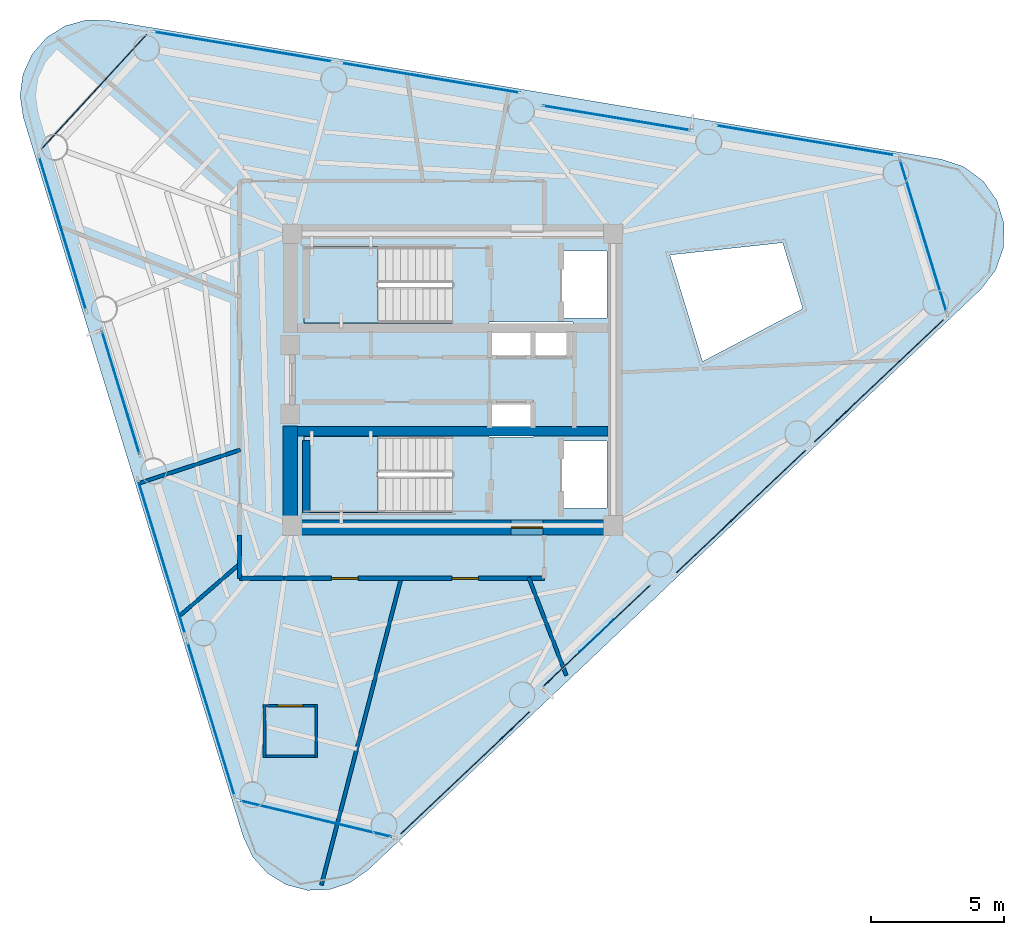
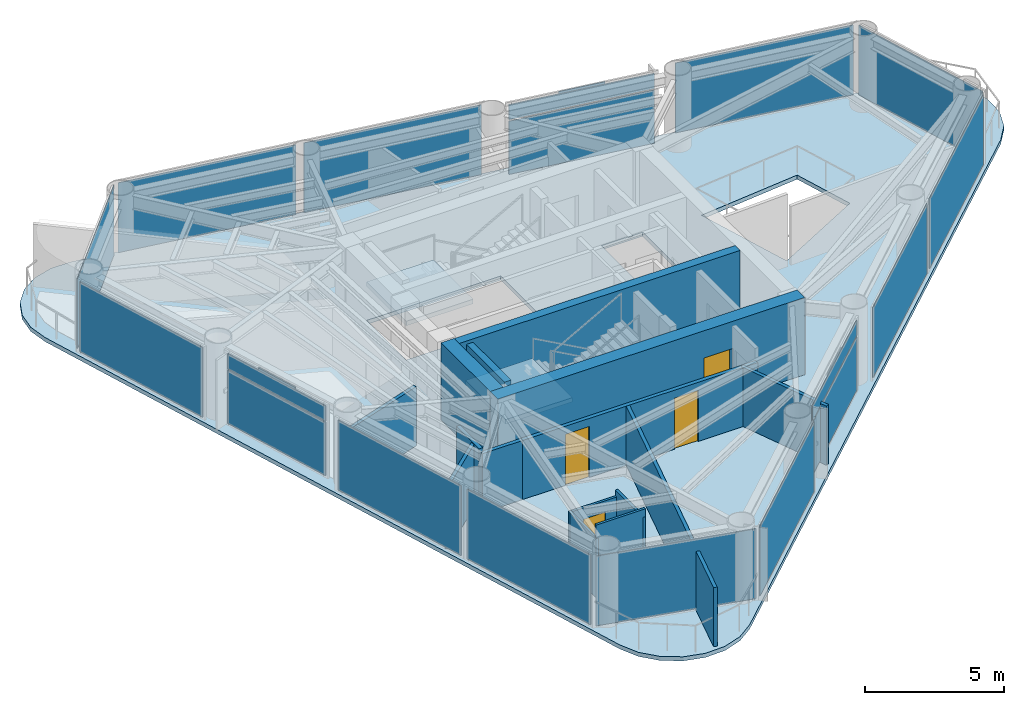
# One storey, part 4 of 8: 21 plates, 15 walls, 4 doors, 3 slabs, 4 openings, 17 elements without a shape of their own.
"""IFC4 building model written with IfcOpenShell, lengths in metres."""

from ifc_helpers import new_model, si_unit, direction, frame, frame_2d, origin, origin_2d, place, context, subcontext, project, spatial, polyline, rectangle, outline, extrude, source, transform, mapped, material, layer, layer_set, type_object, element, fill, aggregate, save


model = new_model("IFC4")

# Units and contexts
model_context = context("Model", 3, precision=1e-05, world=origin(), true_north=direction((0.0, 1.0)))
body_context = subcontext(model_context, "Body", "Model", "MODEL_VIEW")
ifc_project = project(units=[si_unit("LENGTHUNIT", "METRE"), si_unit("AREAUNIT", "SQUARE_METRE"), si_unit("VOLUMEUNIT", "CUBIC_METRE"), si_unit("PLANEANGLEUNIT", "RADIAN"), si_unit("MASSUNIT", "GRAM", prefix="KILO")], contexts=[model_context])

# Site, building, storey
site_placement = place(None, origin())
site = spatial("IfcSite", under=ifc_project, at=site_placement, CompositionType="ELEMENT")
building_placement = place(site_placement, origin())
building = spatial("IfcBuilding", under=site, at=building_placement, Name="Yunling Apex Tower", CompositionType="ELEMENT")
storey_placement = place(building_placement, frame((0.0, 0.0, 238.85009765625)))
storey = spatial("IfcBuildingStorey", under=building, at=storey_placement, Name="L58", CompositionType="ELEMENT", Elevation=238.85009765625)

# Slab
ifc_material_1 = material(Name="Concrete C40", Category="concrete")
ifc_layer_1 = layer(ifc_material_1, 0.155029296875)
ifc_layer_set_1 = layer_set([ifc_layer_1], Name="Concrete C40")
slab_type_1 = type_object("IfcSlabType", Name="SL-FLR-3", PredefinedType="FLOOR", material=ifc_layer_set_1)
slab_1_placement = place(storey_placement, frame((0.0, 0.0, -0.18017578125)))
element("IfcSlab", 1, at=slab_1_placement, inside=storey, type_object=slab_type_1, Name="L58 Composite Tower Floor Slab", PredefinedType="FLOOR", context=body_context, shape_type="SweptSolid", body=[
    extrude(outline(polyline([(-7.894287109375, -17.243408203125), (-7.54052734375, -17.991455078125), (-6.9873046875, -18.60693359375), (-6.281005859375, -19.0380859375), (-5.480712890625, -19.249267578125), (-4.65380859375, -19.22216796875), (-3.868896484375, -18.959716796875), (-3.192138671875, -18.483154296875), (19.91064453125, 3.409912109375), (20.459716796875, 4.126220703125), (20.7578125, 4.977783203125), (20.776123046875, 5.880126953125), (20.51220703125, 6.7431640625), (19.99267578125, 7.48095703125), (19.26904296875, 8.02001953125), (18.41357421875, 8.306884765625), (-12.982177734375, 13.538330078125), (-13.8095703125, 13.5546875), (-14.60693359375, 13.33349609375), (-15.307861328125, 12.8935546875), (-15.853271484375, 12.27099609375), (-16.197509765625, 11.5185546875), (-16.31201171875, 10.698974609375), (-16.187255859375, 9.881103515625), (-7.894287109375, -17.243408203125)]), holes=[polyline([(8.18408203125, 4.697998046875), (12.434326171875, 5.160888671875), (13.194580078125, 2.674560546875), (9.412109375, 0.681640625), (8.18408203125, 4.697998046875)]), polyline([(4.090087890625, -2.320068359375), (5.81005859375, -2.320068359375), (5.81005859375, -4.840087890625), (4.090087890625, -4.840087890625), (4.090087890625, -2.320068359375)]), polyline([(4.090087890625, 4.840087890625), (5.81005859375, 4.840087890625), (5.81005859375, 2.320068359375), (4.090087890625, 2.320068359375), (4.090087890625, 4.840087890625)]), polyline([(1.364990234375, 0.794921875), (1.364990234375, 2.1650390625), (4.534912109375, 2.1650390625), (4.534912109375, 0.794921875), (1.364990234375, 0.794921875)]), polyline([(1.364990234375, -0.794921875), (3.034912109375, -0.794921875), (3.034912109375, -2.1650390625), (1.364990234375, -2.1650390625), (1.364990234375, -0.794921875)]), polyline([(-0.010009765625, -5.010009765625), (-5.60009765625, -5.010009765625), (-5.60009765625, -2.139892578125), (-0.010009765625, -2.139892578125), (-0.010009765625, -5.010009765625)]), polyline([(-0.010009765625, 2.139892578125), (-5.60009765625, 2.139892578125), (-5.60009765625, 5.010009765625), (-0.010009765625, 5.010009765625), (-0.010009765625, 2.139892578125)])]), origin(), (0.0, 0.0, 1.0), 0.18017578125),
])

# Stair, slab
stair_type = type_object("IfcStairType", Name="ST-TWR-3", PredefinedType="HALF_TURN_STAIR", material=ifc_material_1)
stair_1_placement = place(storey_placement, origin())
stair_1 = element("IfcStair", 2, at=stair_1_placement, inside=storey, type_object=stair_type, Name="L58 North Core Smokeproof Exit Stair ST-1", PredefinedType="HALF_TURN_STAIR")
ifc_layer_2 = layer(ifc_material_1, 0.195068359375)
ifc_layer_set_2 = layer_set([ifc_layer_2], Name="Concrete C40")
slab_type_2 = type_object("IfcSlabType", Name="SL-LND-1", PredefinedType="LANDING", material=ifc_layer_set_2)
slab_2_placement = place(storey_placement, frame((0.0, 0.0, 1.5048828125)))
slab_2 = element("IfcSlab", 3, at=slab_2_placement, type_object=slab_type_2, Name="ST-1 landing 1", PredefinedType="LANDING", context=body_context, shape_type="SweptSolid", body=[
    extrude(outline(polyline([(-2.81005859375, 5.010009765625), (-5.60009765625, 5.010009765625), (-5.60009765625, 2.139892578125), (-2.81005859375, 2.139892578125), (-2.81005859375, 5.010009765625)])), origin(), (0.0, 0.0, 1.0), 0.195068359375),
])
aggregate(stair_1, [slab_2])

stair_2_placement = place(storey_placement, origin())
stair_2 = element("IfcStair", 4, at=stair_2_placement, inside=storey, type_object=stair_type, Name="L58 South Core Smokeproof Exit Stair ST-2", PredefinedType="HALF_TURN_STAIR")
slab_3_placement = place(storey_placement, frame((0.0, 0.0, 1.5048828125)))
slab_3 = element("IfcSlab", 5, at=slab_3_placement, type_object=slab_type_2, Name="ST-2 landing 1", PredefinedType="LANDING", context=body_context, shape_type="SweptSolid", body=[
    extrude(outline(polyline([(-2.81005859375, -2.139892578125), (-5.60009765625, -2.139892578125), (-5.60009765625, -5.010009765625), (-2.81005859375, -5.010009765625), (-2.81005859375, -2.139892578125)])), origin(), (0.0, 0.0, 1.0), 0.195068359375),
])
aggregate(stair_2, [slab_3])

# Plates
ifc_material_2 = material(Name="Bronze anodised aluminium", Category="aluminium")
ifc_layer_3 = layer(ifc_material_2, 0.011962890625)
ifc_layer_set_3 = layer_set([ifc_layer_3], Name="Bronze anodised aluminium")
plate_type_1 = type_object("IfcPlateType", Name="SP-SHT-1", PredefinedType="SHEET", material=ifc_layer_set_3)
shared_shape_1 = source(origin(), body_context, "Body", "SweptSolid", [
    extrude(rectangle(XDim=1.800048828125, YDim=0.02392578125, at=origin_2d()), origin(), (0.0, 0.0, 1.0), 0.43994140625),
])
for number, where, z_axis, x_axis, name in (
    (6, (5.429931640625, -9.651123046875, 2.81982421875), (0.0, 0.0, 1.0), (0.725854756355, 0.687848001144, 0.0), "SP-GRV-L58-F1"),
    (7, (6.168701171875, 9.860595703125, 2.81982421875), (0.0, 0.0, 1.0), (-0.986400586142, 0.164359008451, 0.0), "SP-GRV-L58-F2"),
    (8, (-12.5146484375, -0.489501953125, 2.81982421875), (0.0, 0.0, 1.0), (0.292371704723, -0.956304755963, 0.0), "SP-GRV-L58-F3"),
):
    element("IfcPlate", number, at=place(storey_placement, frame(where, z_axis=z_axis, x_axis=x_axis)), inside=storey, type_object=plate_type_1, Name=name, PredefinedType="SHEET", context=body_context, shape_type="MappedRepresentation", body=[
        mapped(shared_shape_1, transform((0.0, 0.0, 0.0), scale=1.0)),
    ])

# Curtain wall, plate
ifc_layer_4 = layer(ifc_material_2, 0.219970703125)
ifc_layer_set_4 = layer_set([ifc_layer_4], Name="Bronze anodised aluminium")
curtain_wall_type = type_object("IfcCurtainWallType", Name="CW-SYS-4", PredefinedType="NOTDEFINED", material=ifc_layer_set_4)
curtain_wall_1_placement = place(storey_placement, origin())
curtain_wall_1 = element("IfcCurtainWall", 9, at=curtain_wall_1_placement, inside=storey, type_object=curtain_wall_type, Name="CW-L58-F1-B2", PredefinedType="NOTDEFINED")
ifc_material_3 = material(Name="Bronze tinted low-E glass", Category="glass")
ifc_layer_5 = layer(ifc_material_3, 0.030029296875)
ifc_layer_set_5 = layer_set([ifc_layer_5], Name="Bronze tinted low-E glass")
plate_type_2 = type_object("IfcPlateType", Name="CW-PNL-4", PredefinedType="CURTAIN_PANEL", material=ifc_layer_set_5)
shared_shape_2 = source(origin(), body_context, "Body", "SweptSolid", [
    extrude(rectangle(XDim=5.617431640625, YDim=0.030029296875, at=origin_2d()), origin(), (0.0, 0.0, 1.0), 2.34326171875),
])
plate_1_placement = place(storey_placement, frame((5.429931640625, -9.651123046875, 0.07177734375), z_axis=(0.0, 0.0, 1.0), x_axis=(0.725848686167, 0.687854406681, 0.0)))
plate_1 = element("IfcPlate", 10, at=plate_1_placement, type_object=plate_type_2, Name="CW-SYS-4 panel 1.1", PredefinedType="CURTAIN_PANEL", context=body_context, shape_type="MappedRepresentation", body=[
    mapped(shared_shape_2, transform((0.0, 0.0, 0.0), scale=1.0)),
])

curtain_wall_2_placement = place(storey_placement, origin())
curtain_wall_2 = element("IfcCurtainWall", 11, at=curtain_wall_2_placement, inside=storey, type_object=curtain_wall_type, Name="CW-L58-F2-B2", PredefinedType="NOTDEFINED")
plate_2_placement = place(storey_placement, frame((6.168701171875, 9.860595703125, 0.07177734375), z_axis=(0.0, 0.0, 1.0), x_axis=(-0.986398614513, 0.164370840747, 0.0)))
plate_2 = element("IfcPlate", 12, at=plate_2_placement, type_object=plate_type_2, Name="CW-SYS-4 panel 1.1", PredefinedType="CURTAIN_PANEL", context=body_context, shape_type="MappedRepresentation", body=[
    mapped(shared_shape_2, transform((0.0, 0.0, 0.0), scale=1.0)),
])

# Plate
shared_shape_3 = source(origin(), body_context, "Body", "SweptSolid", [
    extrude(rectangle(XDim=5.617431640625, YDim=0.030029296875, at=origin_2d()), origin(), (0.0, 0.0, 1.0), 0.668701171875),
])
plate_3_placement = place(storey_placement, frame((5.429931640625, -9.651123046875, 2.47900390625), z_axis=(0.0, 0.0, 1.0), x_axis=(0.725848686167, 0.687854406681, 0.0)))
plate_3 = element("IfcPlate", 13, at=plate_3_placement, type_object=plate_type_2, Name="CW-SYS-4 panel 1.2", PredefinedType="CURTAIN_PANEL", context=body_context, shape_type="MappedRepresentation", body=[
    mapped(shared_shape_3, transform((0.0, 0.0, 0.0), scale=1.0)),
])

aggregate(curtain_wall_1, [plate_1, plate_3])

plate_4_placement = place(storey_placement, frame((6.168701171875, 9.860595703125, 2.47900390625), z_axis=(0.0, 0.0, 1.0), x_axis=(-0.986398614513, 0.164370840747, 0.0)))
plate_4 = element("IfcPlate", 14, at=plate_4_placement, type_object=plate_type_2, Name="CW-SYS-4 panel 1.2", PredefinedType="CURTAIN_PANEL", context=body_context, shape_type="MappedRepresentation", body=[
    mapped(shared_shape_3, transform((0.0, 0.0, 0.0), scale=1.0)),
])

aggregate(curtain_wall_2, [plate_2, plate_4])

# Curtain wall, plate
curtain_wall_3_placement = place(storey_placement, origin())
curtain_wall_3 = element("IfcCurtainWall", 15, at=curtain_wall_3_placement, inside=storey, type_object=curtain_wall_type, Name="CW-L58-F1-B1", PredefinedType="NOTDEFINED")
shared_shape_4 = source(origin(), body_context, "Body", "SweptSolid", [
    extrude(rectangle(XDim=6.857421875, YDim=0.030029296875, at=origin_2d()), origin(), (0.0, 0.0, 1.0), 3.075927734375),
])
plate_5_placement = place(storey_placement, frame((0.4658203125, -14.823974609375, 0.07177734375), z_axis=(0.0, 0.0, 1.0), x_axis=(0.72585471909, 0.687848040467, 0.0)))
plate_5 = element("IfcPlate", 16, at=plate_5_placement, type_object=plate_type_2, Name="CW-SYS-4 panel 1.1", PredefinedType="CURTAIN_PANEL", context=body_context, shape_type="MappedRepresentation", body=[
    mapped(shared_shape_4, transform((0.0, 0.0, 0.0), scale=1.0)),
])
aggregate(curtain_wall_3, [plate_5])

curtain_wall_4_placement = place(storey_placement, origin())
curtain_wall_4 = element("IfcCurtainWall", 17, at=curtain_wall_4_placement, inside=storey, type_object=curtain_wall_type, Name="CW-L58-F1-B3", PredefinedType="NOTDEFINED")
plate_6_placement = place(storey_placement, frame((10.862060546875, -4.97216796875, 0.07177734375), z_axis=(0.0, 0.0, 1.0), x_axis=(0.72585471909, 0.687848040467, 0.0)))
plate_6 = element("IfcPlate", 18, at=plate_6_placement, type_object=plate_type_2, Name="CW-SYS-4 panel 1.1", PredefinedType="CURTAIN_PANEL", context=body_context, shape_type="MappedRepresentation", body=[
    mapped(shared_shape_4, transform((0.0, 0.0, 0.0), scale=1.0)),
])
aggregate(curtain_wall_4, [plate_6])

curtain_wall_5_placement = place(storey_placement, origin())
curtain_wall_5 = element("IfcCurtainWall", 19, at=curtain_wall_5_placement, inside=storey, type_object=curtain_wall_type, Name="CW-L58-F1-B4", PredefinedType="NOTDEFINED")
plate_7_placement = place(storey_placement, frame((16.060302734375, -0.046142578125, 0.07177734375), z_axis=(0.0, 0.0, 1.0), x_axis=(0.72585471909, 0.687848040467, 0.0)))
plate_7 = element("IfcPlate", 20, at=plate_7_placement, type_object=plate_type_2, Name="CW-SYS-4 panel 1.1", PredefinedType="CURTAIN_PANEL", context=body_context, shape_type="MappedRepresentation", body=[
    mapped(shared_shape_4, transform((0.0, 0.0, 0.0), scale=1.0)),
])
aggregate(curtain_wall_5, [plate_7])

curtain_wall_6_placement = place(storey_placement, origin())
curtain_wall_6 = element("IfcCurtainWall", 21, at=curtain_wall_6_placement, inside=storey, type_object=curtain_wall_type, Name="CW-L58-F2-B1", PredefinedType="NOTDEFINED")
plate_8_placement = place(storey_placement, frame((13.288818359375, 9.01904296875, 0.07177734375), z_axis=(0.0, 0.0, 1.0), x_axis=(-0.9864016432, 0.164352664392, 0.0)))
plate_8 = element("IfcPlate", 22, at=plate_8_placement, type_object=plate_type_2, Name="CW-SYS-4 panel 1.1", PredefinedType="CURTAIN_PANEL", context=body_context, shape_type="MappedRepresentation", body=[
    mapped(shared_shape_4, transform((0.0, 0.0, 0.0), scale=1.0)),
])
aggregate(curtain_wall_6, [plate_8])

curtain_wall_7_placement = place(storey_placement, origin())
curtain_wall_7 = element("IfcCurtainWall", 23, at=curtain_wall_7_placement, inside=storey, type_object=curtain_wall_type, Name="CW-L58-F2-B3", PredefinedType="NOTDEFINED")
plate_9_placement = place(storey_placement, frame((-0.83935546875, 11.373046875, 0.07177734375), z_axis=(0.0, 0.0, 1.0), x_axis=(-0.9864016432, 0.164352664392, 0.0)))
plate_9 = element("IfcPlate", 24, at=plate_9_placement, type_object=plate_type_2, Name="CW-SYS-4 panel 1.1", PredefinedType="CURTAIN_PANEL", context=body_context, shape_type="MappedRepresentation", body=[
    mapped(shared_shape_4, transform((0.0, 0.0, 0.0), scale=1.0)),
])
aggregate(curtain_wall_7, [plate_9])

curtain_wall_8_placement = place(storey_placement, origin())
curtain_wall_8 = element("IfcCurtainWall", 25, at=curtain_wall_8_placement, inside=storey, type_object=curtain_wall_type, Name="CW-L58-F2-B4", PredefinedType="NOTDEFINED")
plate_10_placement = place(storey_placement, frame((-7.9033203125, 12.550048828125, 0.07177734375), z_axis=(0.0, 0.0, 1.0), x_axis=(-0.9864016432, 0.164352664392, 0.0)))
plate_10 = element("IfcPlate", 26, at=plate_10_placement, type_object=plate_type_2, Name="CW-SYS-4 panel 1.1", PredefinedType="CURTAIN_PANEL", context=body_context, shape_type="MappedRepresentation", body=[
    mapped(shared_shape_4, transform((0.0, 0.0, 0.0), scale=1.0)),
])
aggregate(curtain_wall_8, [plate_10])

curtain_wall_9_placement = place(storey_placement, origin())
curtain_wall_9 = element("IfcCurtainWall", 27, at=curtain_wall_9_placement, inside=storey, type_object=curtain_wall_type, Name="CW-L58-CRN1", PredefinedType="NOTDEFINED")
shared_shape_5 = source(origin(), body_context, "Body", "SweptSolid", [
    extrude(rectangle(XDim=6.108642578125, YDim=0.030029296875, at=origin_2d()), origin(), (0.0, 0.0, 1.0), 3.075927734375),
])
plate_11_placement = place(storey_placement, frame((17.7314453125, 5.421142578125, 0.07177734375), z_axis=(0.0, 0.0, 1.0), x_axis=(-0.292369275379, 0.956305498685, 0.0)))
plate_11 = element("IfcPlate", 28, at=plate_11_placement, type_object=plate_type_2, Name="CW-SYS-4 panel 1.1", PredefinedType="CURTAIN_PANEL", context=body_context, shape_type="MappedRepresentation", body=[
    mapped(shared_shape_5, transform((0.0, 0.0, 0.0), scale=1.0)),
])
aggregate(curtain_wall_9, [plate_11])

curtain_wall_10_placement = place(storey_placement, origin())
curtain_wall_10 = element("IfcCurtainWall", 29, at=curtain_wall_10_placement, inside=storey, type_object=curtain_wall_type, Name="CW-L58-CRN2", PredefinedType="NOTDEFINED")
shared_shape_6 = source(origin(), body_context, "Body", "SweptSolid", [
    extrude(rectangle(XDim=6.033203125, YDim=0.030029296875, at=origin_2d()), origin(), (0.0, 0.0, 1.0), 3.075927734375),
])
plate_12_placement = place(storey_placement, frame((-13.529052734375, 10.84521484375, 0.07177734375), z_axis=(0.0, 0.0, 1.0), x_axis=(-0.676835909266, -0.736133922549, 0.0)))
plate_12 = element("IfcPlate", 30, at=plate_12_placement, type_object=plate_type_2, Name="CW-SYS-4 panel 1.1", PredefinedType="CURTAIN_PANEL", context=body_context, shape_type="MappedRepresentation", body=[
    mapped(shared_shape_6, transform((0.0, 0.0, 0.0), scale=1.0)),
])
aggregate(curtain_wall_10, [plate_12])

curtain_wall_11_placement = place(storey_placement, origin())
curtain_wall_11 = element("IfcCurtainWall", 31, at=curtain_wall_11_placement, inside=storey, type_object=curtain_wall_type, Name="CW-L58-F3-B1", PredefinedType="NOTDEFINED")
shared_shape_7 = source(origin(), body_context, "Body", "SweptSolid", [
    extrude(rectangle(XDim=6.077880859375, YDim=0.030029296875, at=origin_2d()), origin(), (0.0, 0.0, 1.0), 3.075927734375),
])
plate_13_placement = place(storey_placement, frame((-14.705810546875, 5.51416015625, 0.07177734375), z_axis=(0.0, 0.0, 1.0), x_axis=(0.29237206414, -0.956304646078, 0.0)))
plate_13 = element("IfcPlate", 32, at=plate_13_placement, type_object=plate_type_2, Name="CW-SYS-4 panel 1.1", PredefinedType="CURTAIN_PANEL", context=body_context, shape_type="MappedRepresentation", body=[
    mapped(shared_shape_7, transform((0.0, 0.0, 0.0), scale=1.0)),
])
aggregate(curtain_wall_11, [plate_13])

curtain_wall_12_placement = place(storey_placement, origin())
curtain_wall_12 = element("IfcCurtainWall", 33, at=curtain_wall_12_placement, inside=storey, type_object=curtain_wall_type, Name="CW-L58-F3-B3", PredefinedType="NOTDEFINED")
plate_14_placement = place(storey_placement, frame((-10.973876953125, -6.69189453125, 0.07177734375), z_axis=(0.0, 0.0, 1.0), x_axis=(0.29237206414, -0.956304646078, 0.0)))
plate_14 = element("IfcPlate", 34, at=plate_14_placement, type_object=plate_type_2, Name="CW-SYS-4 panel 1.1", PredefinedType="CURTAIN_PANEL", context=body_context, shape_type="MappedRepresentation", body=[
    mapped(shared_shape_7, transform((0.0, 0.0, 0.0), scale=1.0)),
])
aggregate(curtain_wall_12, [plate_14])

curtain_wall_13_placement = place(storey_placement, origin())
curtain_wall_13 = element("IfcCurtainWall", 35, at=curtain_wall_13_placement, inside=storey, type_object=curtain_wall_type, Name="CW-L58-F3-B4", PredefinedType="NOTDEFINED")
plate_15_placement = place(storey_placement, frame((-9.108154296875, -12.794921875, 0.07177734375), z_axis=(0.0, 0.0, 1.0), x_axis=(0.29237206414, -0.956304646078, 0.0)))
plate_15 = element("IfcPlate", 36, at=plate_15_placement, type_object=plate_type_2, Name="CW-SYS-4 panel 1.1", PredefinedType="CURTAIN_PANEL", context=body_context, shape_type="MappedRepresentation", body=[
    mapped(shared_shape_7, transform((0.0, 0.0, 0.0), scale=1.0)),
])
aggregate(curtain_wall_13, [plate_15])

# Curtain wall, plates
curtain_wall_14_placement = place(storey_placement, origin())
curtain_wall_14 = element("IfcCurtainWall", 37, at=curtain_wall_14_placement, inside=storey, type_object=curtain_wall_type, Name="CW-L58-F3-B2", PredefinedType="NOTDEFINED")
shared_shape_8 = source(origin(), body_context, "Body", "SweptSolid", [
    extrude(rectangle(XDim=4.837890625, YDim=0.030029296875, at=origin_2d()), origin(), (0.0, 0.0, 1.0), 2.34326171875),
])
plate_16_placement = place(storey_placement, frame((-12.5146484375, -0.489501953125, 0.07177734375), z_axis=(0.0, 0.0, 1.0), x_axis=(0.29237304737, -0.956304345474, 0.0)))
plate_16 = element("IfcPlate", 38, at=plate_16_placement, type_object=plate_type_2, Name="CW-SYS-4 panel 1.1", PredefinedType="CURTAIN_PANEL", context=body_context, shape_type="MappedRepresentation", body=[
    mapped(shared_shape_8, transform((0.0, 0.0, 0.0), scale=1.0)),
])
shared_shape_9 = source(origin(), body_context, "Body", "SweptSolid", [
    extrude(rectangle(XDim=4.837890625, YDim=0.030029296875, at=origin_2d()), origin(), (0.0, 0.0, 1.0), 0.668701171875),
])
plate_17_placement = place(storey_placement, frame((-12.5146484375, -0.489501953125, 2.47900390625), z_axis=(0.0, 0.0, 1.0), x_axis=(0.29237304737, -0.956304345474, 0.0)))
plate_17 = element("IfcPlate", 39, at=plate_17_placement, type_object=plate_type_2, Name="CW-SYS-4 panel 1.2", PredefinedType="CURTAIN_PANEL", context=body_context, shape_type="MappedRepresentation", body=[
    mapped(shared_shape_9, transform((0.0, 0.0, 0.0), scale=1.0)),
])
aggregate(curtain_wall_14, [plate_16, plate_17])

# Curtain wall, plate
curtain_wall_15_placement = place(storey_placement, origin())
curtain_wall_15 = element("IfcCurtainWall", 40, at=curtain_wall_15_placement, inside=storey, type_object=curtain_wall_type, Name="CW-L58-CRN3", PredefinedType="NOTDEFINED")
shared_shape_10 = source(origin(), body_context, "Body", "SweptSolid", [
    extrude(rectangle(XDim=6.032958984375, YDim=0.030029296875, at=origin_2d()), origin(), (0.0, 0.0, 1.0), 3.075927734375),
])
plate_18_placement = place(storey_placement, frame((-5.151611328125, -16.556396484375, 0.07177734375), z_axis=(0.0, 0.0, 1.0), x_axis=(0.97276120775, -0.231809474992, 0.0)))
plate_18 = element("IfcPlate", 41, at=plate_18_placement, type_object=plate_type_2, Name="CW-SYS-4 panel 1.1", PredefinedType="CURTAIN_PANEL", context=body_context, shape_type="MappedRepresentation", body=[
    mapped(shared_shape_10, transform((0.0, 0.0, 0.0), scale=1.0)),
])
aggregate(curtain_wall_15, [plate_18])

# Wall, opening, door
ifc_layer_6 = layer(ifc_material_1, 0.550048828125)
ifc_layer_set_6 = layer_set([ifc_layer_6], Name="Concrete C40")
wall_type_1 = type_object("IfcWallType", Name="WL-COR-3", PredefinedType="SHEAR", material=ifc_layer_set_6)
wall_1_placement = place(storey_placement, frame((-6.39990234375, -5.574951171875, 0.0), z_axis=(0.0, 0.0, 1.0), x_axis=(1.0, 0.0, 0.0)))
wall_1 = element("IfcWall", 42, at=wall_1_placement, inside=storey, type_object=wall_type_1, Name="L58 South Core Shear Wall", PredefinedType="SHEAR", context=body_context, shape_type="SweptSolid", body=[
    extrude(rectangle(XDim=12.7998046875, YDim=0.550048828125, at=frame_2d((6.39990234375, 0.0))), origin(), (0.0, 0.0, 1.0), 3.39990234375),
])
opening_1_placement = place(wall_1_placement, frame((8.60009765625, 0.0, 0.0)))
opening_1 = element("IfcOpeningElement", 43, at=opening_1_placement, cuts=wall_1, Name="Opening DR-FFL-1", PredefinedType="OPENING", context=body_context, shape_type="SweptSolid", body=[
    extrude(rectangle(XDim=1.199951171875, YDim=2.199951171875, at=frame_2d((0.60009765625, 1.10009765625))), frame((0.0, 0.28515625, 0.0), z_axis=(0.0, -1.0, 0.0), x_axis=(1.0, 0.0, 0.0)), (0.0, 0.0, 1.0), 0.570068359375),
])
ifc_material_4 = material(Name="Steel Q355B", Category="steel")
door_type_1 = type_object("IfcDoorType", Name="DR-FFL-1", OperationType="NOTDEFINED", PredefinedType="DOOR", material=ifc_material_4)
door_1_placement = place(opening_1_placement, origin())
door_1 = element("IfcDoor", 44, at=door_1_placement, inside=storey, type_object=door_type_1, Name="L58 South Firefighting Lobby Door", OperationType="SINGLE_SWING_RIGHT", OverallHeight=2.199951171875, OverallWidth=1.199951171875, PredefinedType="DOOR", context=body_context, shape_type="SweptSolid", body=[
    extrude(rectangle(XDim=1.199951171875, YDim=2.199951171875, at=frame_2d((0.60009765625, 1.10009765625))), frame((0.0, 0.02490234375, 0.0), z_axis=(0.0, -1.0, 0.0), x_axis=(1.0, 0.0, 0.0)), (0.0, 0.0, 1.0), 0.050048828125),
])
fill(opening_1, door_1)

# Walls
wall_2_placement = place(storey_placement, frame((-6.125, -5.300048828125, 0.0), z_axis=(0.0, 0.0, 1.0), x_axis=(0.0, 1.0, 0.0)))
element("IfcWall", 45, at=wall_2_placement, inside=storey, type_object=wall_type_1, Name="L58 West-South Core Shear Wall", PredefinedType="SHEAR", context=body_context, shape_type="SweptSolid", body=[
    extrude(rectangle(XDim=3.550048828125, YDim=0.550048828125, at=frame_2d((1.77490234375, 0.0))), origin(), (0.0, 0.0, 1.0), 3.39990234375),
])
ifc_layer_7 = layer(ifc_material_1, 0.360107421875)
ifc_layer_set_7 = layer_set([ifc_layer_7], Name="Concrete C40")
wall_type_2 = type_object("IfcWallType", Name="WL-COR-4", PredefinedType="SHEAR", material=ifc_layer_set_7)
wall_3_placement = place(storey_placement, frame((-5.85009765625, -1.93994140625, 0.0), z_axis=(0.0, 0.0, 1.0), x_axis=(1.0, 0.0, 0.0)))
element("IfcWall", 46, at=wall_3_placement, inside=storey, type_object=wall_type_2, Name="L58 South Internal Core Shear Wall", PredefinedType="SHEAR", context=body_context, shape_type="SweptSolid", body=[
    extrude(rectangle(XDim=11.7001953125, YDim=0.360107421875, at=frame_2d((5.85009765625, 0.0))), origin(), (0.0, 0.0, 1.0), 3.39990234375),
])
ifc_layer_8 = layer(ifc_material_1, 0.280029296875)
ifc_layer_set_8 = layer_set([ifc_layer_8], Name="Concrete C40")
wall_type_3 = type_object("IfcWallType", Name="WL-COR-8", PredefinedType="SHEAR", material=ifc_layer_set_8)
wall_4_placement = place(storey_placement, frame((-5.52001953125, -5.050048828125, 0.0), z_axis=(0.0, 0.0, 1.0), x_axis=(0.0, 1.0, 0.0)))
element("IfcWall", 47, at=wall_4_placement, inside=storey, type_object=wall_type_3, Name="L58 ST-2 West Landing Bearing Wall", PredefinedType="SHEAR", context=body_context, shape_type="SweptSolid", body=[
    extrude(rectangle(XDim=2.75, YDim=0.280029296875, at=frame_2d((1.375, 0.0))), origin(), (0.0, 0.0, 1.0), 3.39990234375),
])

# Wall, openings, doors
ifc_material_5 = material(Name="Gypsum board acoustic partition")
ifc_layer_9 = layer(ifc_material_5, 0.159912109375)
ifc_layer_set_9 = layer_set([ifc_layer_9], Name="Gypsum board acoustic partition")
wall_type_4 = type_object("IfcWallType", Name="WL-PRT-1", PredefinedType="PARTITIONING", material=ifc_layer_set_9)
wall_5_placement = place(storey_placement, frame((3.449951171875, -7.489990234375, 0.0), z_axis=(0.0, 0.0, 1.0), x_axis=(-1.0, 0.0, 0.0)))
wall_5 = element("IfcWall", 48, at=wall_5_placement, inside=storey, type_object=wall_type_4, Name="WL-CORR-L58-06", PredefinedType="PARTITIONING", context=body_context, shape_type="SweptSolid", body=[
    extrude(rectangle(XDim=9.81005859375, YDim=0.159912109375, at=frame_2d((4.905029296875, 0.0))), origin(), (0.0, 0.0, 1.0), 2.60498046875),
])
opening_2_placement = place(wall_5_placement, frame((2.48193359375, 0.0, 0.0)))
opening_2 = element("IfcOpeningElement", 49, at=opening_2_placement, cuts=wall_5, Name="Opening DR-OFF-1", PredefinedType="OPENING", context=body_context, shape_type="SweptSolid", body=[
    extrude(rectangle(XDim=1.0, YDim=2.25, at=frame_2d((0.5, 1.125))), frame((0.0, 0.08984375, 0.0), z_axis=(0.0, -1.0, 0.0), x_axis=(1.0, 0.0, 0.0)), (0.0, 0.0, 1.0), 0.179931640625),
])
opening_3_placement = place(wall_5_placement, frame((7.021240234375, 0.0, 0.0)))
opening_3 = element("IfcOpeningElement", 50, at=opening_3_placement, cuts=wall_5, Name="Opening DR-OFF-1", PredefinedType="OPENING", context=body_context, shape_type="SweptSolid", body=[
    extrude(rectangle(XDim=1.0, YDim=2.25, at=frame_2d((0.5, 1.125))), frame((0.0, 0.08984375, 0.0), z_axis=(0.0, -1.0, 0.0), x_axis=(1.0, 0.0, 0.0)), (0.0, 0.0, 1.0), 0.179931640625),
])
door_type_2 = type_object("IfcDoorType", Name="DR-OFF-1", OperationType="NOTDEFINED", PredefinedType="DOOR", material=ifc_material_2)
door_2_placement = place(opening_2_placement, origin())
door_2 = element("IfcDoor", 51, at=door_2_placement, inside=storey, type_object=door_type_2, Name="L58 Private Dining Kitchen Door", OperationType="SINGLE_SWING_LEFT", OverallHeight=2.25, OverallWidth=1.0, PredefinedType="DOOR", context=body_context, shape_type="SweptSolid", body=[
    extrude(rectangle(XDim=1.0, YDim=2.25, at=frame_2d((0.5, 1.125))), frame((0.0, 0.02490234375, 0.0), z_axis=(0.0, -1.0, 0.0), x_axis=(1.0, 0.0, 0.0)), (0.0, 0.0, 1.0), 0.050048828125),
])
fill(opening_2, door_2)
door_3_placement = place(opening_3_placement, origin())
door_3 = element("IfcDoor", 52, at=door_3_placement, inside=storey, type_object=door_type_2, Name="L58 Parcel Archive Store Door", OperationType="SINGLE_SWING_RIGHT", OverallHeight=2.25, OverallWidth=1.0, PredefinedType="DOOR", context=body_context, shape_type="SweptSolid", body=[
    extrude(rectangle(XDim=1.0, YDim=2.25, at=frame_2d((0.5, 1.125))), frame((0.0, 0.02490234375, 0.0), z_axis=(0.0, -1.0, 0.0), x_axis=(1.0, 0.0, 0.0)), (0.0, 0.0, 1.0), 0.050048828125),
])
fill(opening_3, door_3)

# Walls
wall_6_placement = place(storey_placement, frame((-6.360107421875, -7.489990234375, 0.0), z_axis=(0.0, 0.0, 1.0), x_axis=(-1.0, 0.0, 0.0)))
element("IfcWall", 53, at=wall_6_placement, inside=storey, type_object=wall_type_4, Name="WL-CORR-L58-07", PredefinedType="PARTITIONING", context=body_context, shape_type="SweptSolid", body=[
    extrude(rectangle(XDim=1.679931640625, YDim=0.159912109375, at=frame_2d((0.83984375, 0.0))), origin(), (0.0, 0.0, 1.0), 2.60498046875),
])
wall_7_placement = place(storey_placement, frame((-8.0400390625, -7.489990234375, 0.0), z_axis=(0.0, 0.0, 1.0), x_axis=(0.0, 1.0, 0.0)))
element("IfcWall", 54, at=wall_7_placement, inside=storey, type_object=wall_type_4, Name="WL-CORR-L58-08", PredefinedType="PARTITIONING", context=body_context, shape_type="SweptSolid", body=[
    extrude(rectangle(XDim=1.639892578125, YDim=0.159912109375, at=frame_2d((0.81982421875, 0.0))), origin(), (0.0, 0.0, 1.0), 2.804931640625),
])
ifc_layer_10 = layer(ifc_material_5, 0.139892578125)
ifc_layer_set_10 = layer_set([ifc_layer_10], Name="Gypsum board acoustic partition")
wall_type_5 = type_object("IfcWallType", Name="WL-PRT-2", PredefinedType="PARTITIONING", material=ifc_layer_set_10)
wall_8_placement = place(storey_placement, frame((-8.0, -2.6435546875, 0.0), z_axis=(0.0, 0.0, 1.0), x_axis=(-0.949500330173, -0.313766032263, 0.0)))
element("IfcWall", 55, at=wall_8_placement, inside=storey, type_object=wall_type_5, Name="WL-RAD-L58-07", PredefinedType="PARTITIONING", context=body_context, shape_type="SweptSolid", body=[
    extrude(rectangle(XDim=3.988525390625, YDim=0.139892578125, at=frame_2d((1.994140625, 0.0))), origin(), (0.0, 0.0, 1.0), 2.60498046875),
])
wall_9_placement = place(storey_placement, frame((-8.0, -6.91943359375, 0.0), z_axis=(0.0, 0.0, 1.0), x_axis=(-0.756358809539, -0.654156977516, 0.0)))
element("IfcWall", 56, at=wall_9_placement, inside=storey, type_object=wall_type_5, Name="WL-RAD-L58-08", PredefinedType="PARTITIONING", context=body_context, shape_type="SweptSolid", body=[
    extrude(rectangle(XDim=2.9931640625, YDim=0.139892578125, at=frame_2d((1.49658203125, 0.0))), origin(), (0.0, 0.0, 1.0), 2.764892578125),
])
wall_10_placement = place(storey_placement, frame((-1.9365234375, -7.449951171875, 0.0), z_axis=(0.0, 0.0, 1.0), x_axis=(-0.251581963347, -0.967835996292, 0.0)))
element("IfcWall", 57, at=wall_10_placement, inside=storey, type_object=wall_type_5, Name="WL-RAD-L58-09", PredefinedType="PARTITIONING", context=body_context, shape_type="SweptSolid", body=[
    extrude(rectangle(XDim=11.987548828125, YDim=0.139892578125, at=frame_2d((5.99365234375, 0.0))), origin(), (0.0, 0.0, 1.0), 2.60498046875),
])
wall_11_placement = place(storey_placement, frame((2.85986328125, -7.449951171875, 0.0), z_axis=(0.0, 0.0, 1.0), x_axis=(0.35834382605, -0.933589686282, 0.0)))
element("IfcWall", 58, at=wall_11_placement, inside=storey, type_object=wall_type_5, Name="WL-RAD-L58-10", PredefinedType="PARTITIONING", context=body_context, shape_type="SweptSolid", body=[
    extrude(rectangle(XDim=3.966552734375, YDim=0.139892578125, at=frame_2d((1.9833984375, 0.0))), origin(), (0.0, 0.0, 1.0), 2.60498046875),
])

# Wall, opening, door
ifc_layer_11 = layer(ifc_material_5, 0.10009765625)
ifc_layer_set_11 = layer_set([ifc_layer_11], Name="Gypsum board acoustic partition")
wall_type_6 = type_object("IfcWallType", Name="WL-PRT-4", PredefinedType="PARTITIONING", material=ifc_layer_set_11)
wall_12_placement = place(storey_placement, frame((-7.14501953125, -12.298095703125, 0.0), z_axis=(0.0, 0.0, 1.0), x_axis=(1.0, 0.0, 0.0)))
wall_12 = element("IfcWall", 59, at=wall_12_placement, inside=storey, type_object=wall_type_6, Name="WL-L58-RWC2N", PredefinedType="PARTITIONING", context=body_context, shape_type="SweptSolid", body=[
    extrude(rectangle(XDim=2.050048828125, YDim=0.10009765625, at=frame_2d((1.02490234375, 0.0))), origin(), (0.0, 0.0, 1.0), 2.60498046875),
])
opening_4_placement = place(wall_12_placement, frame((0.56494140625, 0.0, 0.0)))
opening_4 = element("IfcOpeningElement", 60, at=opening_4_placement, cuts=wall_12, Name="Opening DR-WC-1", PredefinedType="OPENING", context=body_context, shape_type="SweptSolid", body=[
    extrude(rectangle(XDim=0.919921875, YDim=2.10009765625, at=frame_2d((0.4599609375, 1.050048828125))), frame((0.0, 0.06005859375, 0.0), z_axis=(0.0, -1.0, 0.0), x_axis=(1.0, 0.0, 0.0)), (0.0, 0.0, 1.0), 0.1201171875),
])
ifc_material_6 = material(Name="Timber moisture-resistant leaf", Category="wood")
door_type_3 = type_object("IfcDoorType", Name="DR-WC-1", OperationType="NOTDEFINED", PredefinedType="DOOR", material=ifc_material_6)
door_4_placement = place(opening_4_placement, origin())
door_4 = element("IfcDoor", 61, at=door_4_placement, inside=storey, type_object=door_type_3, Name="L58 Accessible WC Door", OperationType="SINGLE_SWING_RIGHT", OverallHeight=2.10009765625, OverallWidth=0.919921875, PredefinedType="DOOR", context=body_context, shape_type="SweptSolid", body=[
    extrude(rectangle(XDim=0.919921875, YDim=2.10009765625, at=frame_2d((0.4599609375, 1.050048828125))), frame((0.0, 0.02490234375, 0.0), z_axis=(0.0, -1.0, 0.0), x_axis=(1.0, 0.0, 0.0)), (0.0, 0.0, 1.0), 0.050048828125),
])
fill(opening_4, door_4)

# Walls
wall_13_placement = place(storey_placement, frame((-5.094970703125, -14.197998046875, 0.0), z_axis=(0.0, 0.0, 1.0), x_axis=(-1.0, 0.0, 0.0)))
element("IfcWall", 62, at=wall_13_placement, inside=storey, type_object=wall_type_6, Name="WL-L58-RWC2S", PredefinedType="PARTITIONING", context=body_context, shape_type="SweptSolid", body=[
    extrude(rectangle(XDim=2.050048828125, YDim=0.10009765625, at=frame_2d((1.02490234375, 0.0))), origin(), (0.0, 0.0, 1.0), 3.199951171875),
])
wall_14_placement = place(storey_placement, frame((-5.14501953125, -12.248046875, 0.0), z_axis=(0.0, 0.0, 1.0), x_axis=(0.0, -1.0, 0.0)))
element("IfcWall", 63, at=wall_14_placement, inside=storey, type_object=wall_type_6, Name="WL-L58-RWC2E", PredefinedType="PARTITIONING", context=body_context, shape_type="SweptSolid", body=[
    extrude(rectangle(XDim=2.0, YDim=0.10009765625, at=frame_2d((1.0, 0.0))), origin(), (0.0, 0.0, 1.0), 2.85498046875),
])
wall_15_placement = place(storey_placement, frame((-7.094970703125, -14.248046875, 0.0), z_axis=(0.0, 0.0, 1.0), x_axis=(0.0, 1.0, 0.0)))
element("IfcWall", 64, at=wall_15_placement, inside=storey, type_object=wall_type_6, Name="WL-L58-RWC2W", PredefinedType="PARTITIONING", context=body_context, shape_type="SweptSolid", body=[
    extrude(rectangle(XDim=2.0, YDim=0.10009765625, at=frame_2d((1.0, 0.0))), origin(), (0.0, 0.0, 1.0), 2.60498046875),
])

save(model, "model.ifc")
